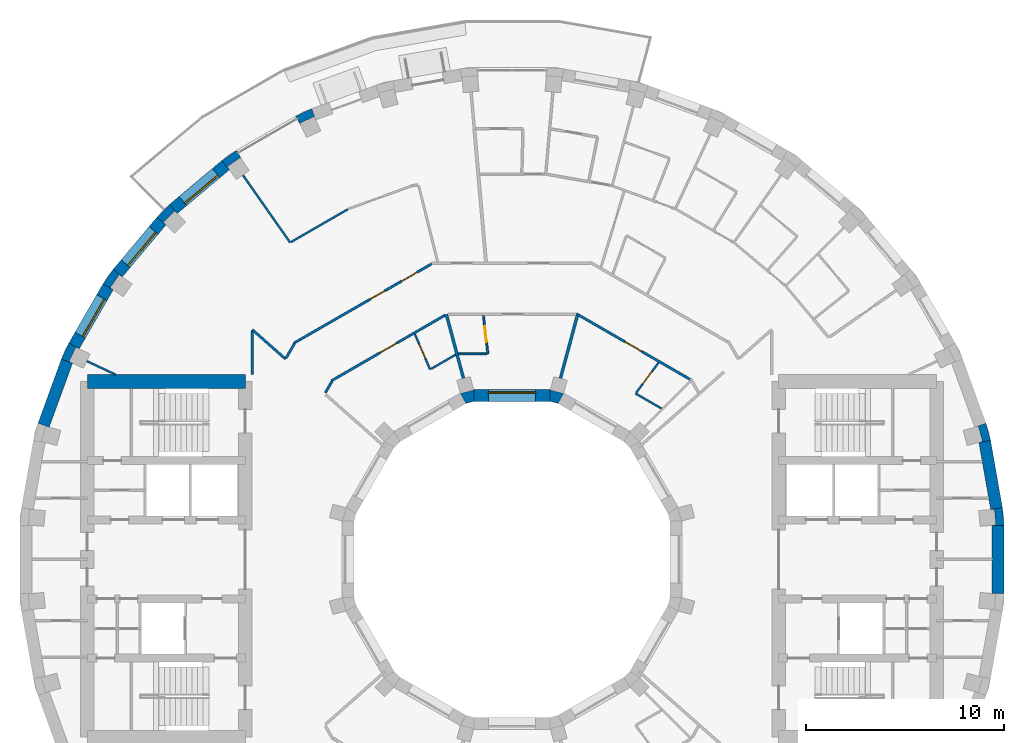
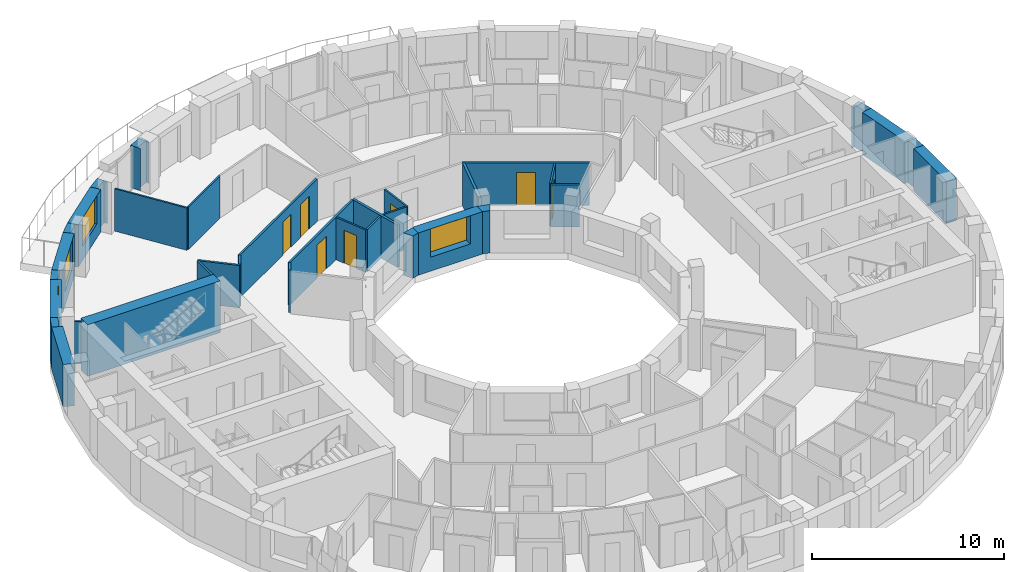
# One storey, part 10 of 14: 35 walls, 7 doors, 4 windows, 11 openings.
"""IFC4 building model written with IfcOpenShell, lengths in metres."""

from ifc_helpers import new_model, si_unit, direction, frame, frame_2d, origin, place, context, subcontext, project, spatial, polyline, rectangle, outline, extrude, material, layer, layer_set, type_object, element, fill, save


model = new_model("IFC4")

# Units and contexts
model_context = context("Model", 3, precision=1e-05, world=origin(), true_north=direction((0.0, 1.0)))
body_context = subcontext(model_context, "Body", "Model", "MODEL_VIEW")
ifc_project = project(units=[si_unit("LENGTHUNIT", "METRE"), si_unit("AREAUNIT", "SQUARE_METRE"), si_unit("VOLUMEUNIT", "CUBIC_METRE"), si_unit("PLANEANGLEUNIT", "RADIAN"), si_unit("MASSUNIT", "GRAM", prefix="KILO")], contexts=[model_context])

# Site, building, storey
site_placement = place(None, origin())
site = spatial("IfcSite", under=ifc_project, at=site_placement, CompositionType="ELEMENT")
building_placement = place(site_placement, origin())
building = spatial("IfcBuilding", under=site, at=building_placement, Name="Saqina Gate Tower", CompositionType="ELEMENT")
storey_placement = place(building_placement, frame((0.0, 0.0, 216.89990234375)))
storey = spatial("IfcBuildingStorey", under=building, at=storey_placement, Name="L62", CompositionType="ELEMENT", Elevation=216.89990234375)

# Walls
ifc_material_1 = material(Name="Brick masonry (buff)", Category="masonry")
wall_type_1 = type_object("IfcWallType", Name="BRICK PIER COPING BUFF", PredefinedType="SOLIDWALL", material=ifc_material_1)
wall_1_placement = place(storey_placement, origin())
element("IfcWall", 1, at=wall_1_placement, inside=storey, type_object=wall_type_1, Name="Pier cap L62 column 1", PredefinedType="SOLIDWALL", context=body_context, shape_type="SweptSolid", body=[
    extrude(outline(polyline([(24.90478515625, 1.724853515625), (24.825927734375, 2.6259765625), (24.235107421875, 2.521728515625), (24.421630859375, 2.5380859375), (24.491455078125, 1.7412109375), (24.304931640625, 1.724853515625), (24.90478515625, 1.724853515625)])), origin(), (0.0, 0.0, 1.0), 2.7001953125),
])
wall_2_placement = place(storey_placement, origin())
element("IfcWall", 2, at=wall_2_placement, inside=storey, type_object=wall_type_1, Name="Pier cap L62 column 2", PredefinedType="SOLIDWALL", context=body_context, shape_type="SweptSolid", body=[
    extrude(outline(polyline([(24.22705078125, 6.0234375), (23.992919921875, 6.897216796875), (23.428955078125, 6.69189453125), (23.610107421875, 6.740478515625), (23.81689453125, 5.967529296875), (23.635986328125, 5.919189453125), (24.22705078125, 6.0234375)])), origin(), (0.0, 0.0, 1.0), 2.7001953125),
])
wall_3_placement = place(storey_placement, origin())
element("IfcWall", 3, at=wall_3_placement, inside=storey, type_object=wall_type_1, Name="Pier cap L62 column 12", PredefinedType="SOLIDWALL", context=body_context, shape_type="SweptSolid", body=[
    extrude(outline(polyline([(-10.958740234375, 22.4306640625), (-10.65869140625, 21.9111328125), (-10.73779296875, 22.080810546875), (-10.0126953125, 22.4189453125), (-9.93359375, 22.249267578125), (-10.138916015625, 22.81298828125), (-10.958740234375, 22.4306640625)])), origin(), (0.0, 0.0, 1.0), 2.7001953125),
])
wall_4_placement = place(storey_placement, origin())
element("IfcWall", 4, at=wall_4_placement, inside=storey, type_object=wall_type_1, Name="Pier cap L62 column 13", PredefinedType="SOLIDWALL", context=body_context, shape_type="SweptSolid", body=[
    extrude(outline(polyline([(-13.9462890625, 20.705810546875), (-14.687255859375, 20.18701171875), (-14.301513671875, 19.727294921875), (-14.408935546875, 19.880859375), (-13.753662109375, 20.339599609375), (-13.646240234375, 20.186279296875), (-13.9462890625, 20.705810546875)])), origin(), (0.0, 0.0, 1.0), 2.7001953125),
])
wall_5_placement = place(storey_placement, origin())
element("IfcWall", 5, at=wall_5_placement, inside=storey, type_object=wall_type_1, Name="Pier cap L62 column 14", PredefinedType="SOLIDWALL", context=body_context, shape_type="SweptSolid", body=[
    extrude(outline(polyline([(-17.969482421875, 17.329833984375), (-17.510009765625, 16.944091796875), (-17.642333984375, 17.07666015625), (-17.07666015625, 17.642333984375), (-16.944091796875, 17.510009765625), (-17.329833984375, 17.969482421875), (-17.969482421875, 17.329833984375)])), origin(), (0.0, 0.0, 1.0), 2.7001953125),
])
wall_6_placement = place(storey_placement, origin())
element("IfcWall", 6, at=wall_6_placement, inside=storey, type_object=wall_type_1, Name="Pier cap L62 column 15", PredefinedType="SOLIDWALL", context=body_context, shape_type="SweptSolid", body=[
    extrude(outline(polyline([(-20.18701171875, 14.687255859375), (-20.705810546875, 13.9462890625), (-20.186279296875, 13.646240234375), (-20.339599609375, 13.753662109375), (-19.880859375, 14.408935546875), (-19.727294921875, 14.301513671875), (-20.18701171875, 14.687255859375)])), origin(), (0.0, 0.0, 1.0), 2.7001953125),
])
wall_7_placement = place(storey_placement, origin())
element("IfcWall", 7, at=wall_7_placement, inside=storey, type_object=wall_type_1, Name="Pier cap L62 column 16", PredefinedType="SOLIDWALL", context=body_context, shape_type="SweptSolid", body=[
    extrude(outline(polyline([(-22.81298828125, 10.138916015625), (-22.249267578125, 9.93359375), (-22.4189453125, 10.0126953125), (-22.080810546875, 10.73779296875), (-21.9111328125, 10.65869140625), (-22.4306640625, 10.958740234375), (-22.81298828125, 10.138916015625)])), origin(), (0.0, 0.0, 1.0), 2.7001953125),
])

# Wall, opening, window
ifc_material_2 = material(Name="Brick masonry (buff)", Category="masonry")
ifc_layer_1 = layer(ifc_material_2, 0.60009765625)
ifc_layer_set_1 = layer_set([ifc_layer_1], Name="FW-BRICK-BUFF")
wall_type_2 = type_object("IfcWallType", Name="FW-BRICK-BUFF", PredefinedType="SOLIDWALL", material=ifc_layer_set_1)
wall_8_placement = place(storey_placement, frame((-14.494384765625, 19.95703125, 0.0), z_axis=(0.0, 0.0, 1.0), x_axis=(-0.766058884809, -0.642770398358, 0.0)))
wall_8 = element("IfcWall", 8, at=wall_8_placement, inside=storey, type_object=wall_type_2, Name="Facade wall L62 facet 13", PredefinedType="SOLIDWALL", context=body_context, shape_type="SweptSolid", body=[
    extrude(rectangle(XDim=3.449462890625, YDim=0.60009765625, at=frame_2d((1.724609375, 0.0))), origin(), (0.0, 0.0, 1.0), 2.7001953125),
])
opening_1_placement = place(wall_8_placement, frame((0.625, 0.0, 0.89990234375)))
opening_1 = element("IfcOpeningElement", 9, at=opening_1_placement, cuts=wall_8, Name="Opening G18-W07", PredefinedType="OPENING", context=body_context, shape_type="SweptSolid", body=[
    extrude(rectangle(XDim=2.199951171875, YDim=1.800048828125, at=frame_2d((1.10009765625, 0.89990234375))), frame((0.0, 0.31201171875, 0.0), z_axis=(0.0, -1.0, 0.0), x_axis=(1.0, 0.0, 0.0)), (0.0, 0.0, 1.0), 0.6240234375),
])
ifc_material_3 = material(Name="Aluminium glazing", Category="aluminium")
window_type_1 = type_object("IfcWindowType", Name="WN-C", PartitioningType="SINGLE_PANEL", PredefinedType="WINDOW", material=ifc_material_3)
window_1_placement = place(opening_1_placement, origin())
window_1 = element("IfcWindow", 10, at=window_1_placement, inside=storey, type_object=window_type_1, Name="Window L62 facet 13", OverallHeight=1.800048828125, OverallWidth=2.199951171875, PartitioningType="SINGLE_PANEL", PredefinedType="WINDOW", context=body_context, shape_type="SweptSolid", body=[
    extrude(rectangle(XDim=2.199951171875, YDim=1.800048828125, at=frame_2d((1.10009765625, 0.89990234375))), frame((0.0, 0.179931640625, 0.0), z_axis=(0.0, -1.0, 0.0), x_axis=(1.0, 0.0, 0.0)), (0.0, 0.0, 1.0), 0.06005859375),
])
fill(opening_1, window_1)

wall_9_placement = place(storey_placement, frame((-17.73974609375, 17.136962890625, 0.0), z_axis=(0.0, 0.0, 1.0), x_axis=(-0.642770398358, -0.766058884809, 0.0)))
wall_9 = element("IfcWall", 11, at=wall_9_placement, inside=storey, type_object=wall_type_2, Name="Facade wall L62 facet 14", PredefinedType="SOLIDWALL", context=body_context, shape_type="SweptSolid", body=[
    extrude(rectangle(XDim=3.449462890625, YDim=0.60009765625, at=frame_2d((1.724609375, 0.0))), origin(), (0.0, 0.0, 1.0), 2.7001953125),
])
opening_2_placement = place(wall_9_placement, frame((0.625, 0.0, 0.89990234375)))
opening_2 = element("IfcOpeningElement", 12, at=opening_2_placement, cuts=wall_9, Name="Opening G18-W08", PredefinedType="OPENING", context=body_context, shape_type="SweptSolid", body=[
    extrude(rectangle(XDim=2.199951171875, YDim=1.800048828125, at=frame_2d((1.10009765625, 0.89990234375))), frame((0.0, 0.31201171875, 0.0), z_axis=(0.0, -1.0, 0.0), x_axis=(1.0, 0.0, 0.0)), (0.0, 0.0, 1.0), 0.6240234375),
])
window_2_placement = place(opening_2_placement, origin())
window_2 = element("IfcWindow", 13, at=window_2_placement, inside=storey, type_object=window_type_1, Name="Window L62 facet 14", OverallHeight=1.800048828125, OverallWidth=2.199951171875, PartitioningType="SINGLE_PANEL", PredefinedType="WINDOW", context=body_context, shape_type="SweptSolid", body=[
    extrude(rectangle(XDim=2.199951171875, YDim=1.800048828125, at=frame_2d((1.10009765625, 0.89990234375))), frame((0.0, 0.179931640625, 0.0), z_axis=(0.0, -1.0, 0.0), x_axis=(1.0, 0.0, 0.0)), (0.0, 0.0, 1.0), 0.06005859375),
])
fill(opening_2, window_2)

wall_10_placement = place(storey_placement, frame((-20.446044921875, 13.796142578125, 0.0), z_axis=(0.0, 0.0, 1.0), x_axis=(-0.499998129301, -0.86602648383, 0.0)))
wall_10 = element("IfcWall", 14, at=wall_10_placement, inside=storey, type_object=wall_type_2, Name="Facade wall L62 facet 15", PredefinedType="SOLIDWALL", context=body_context, shape_type="SweptSolid", body=[
    extrude(rectangle(XDim=3.44970703125, YDim=0.60009765625, at=frame_2d((1.724853515625, 0.0))), origin(), (0.0, 0.0, 1.0), 2.7001953125),
])
opening_3_placement = place(wall_10_placement, frame((0.625, 0.0, 0.89990234375)))
opening_3 = element("IfcOpeningElement", 15, at=opening_3_placement, cuts=wall_10, Name="Opening G18-W09", PredefinedType="OPENING", context=body_context, shape_type="SweptSolid", body=[
    extrude(rectangle(XDim=2.199951171875, YDim=1.800048828125, at=frame_2d((1.10009765625, 0.89990234375))), frame((0.0, 0.31201171875, 0.0), z_axis=(0.0, -1.0, 0.0), x_axis=(1.0, 0.0, 0.0)), (0.0, 0.0, 1.0), 0.6240234375),
])
window_3_placement = place(opening_3_placement, origin())
window_3 = element("IfcWindow", 16, at=window_3_placement, inside=storey, type_object=window_type_1, Name="Window L62 facet 15", OverallHeight=1.800048828125, OverallWidth=2.199951171875, PartitioningType="SINGLE_PANEL", PredefinedType="WINDOW", context=body_context, shape_type="SweptSolid", body=[
    extrude(rectangle(XDim=2.199951171875, YDim=1.800048828125, at=frame_2d((1.10009765625, 0.89990234375))), frame((0.0, 0.179931640625, 0.0), z_axis=(0.0, -1.0, 0.0), x_axis=(1.0, 0.0, 0.0)), (0.0, 0.0, 1.0), 0.06005859375),
])
fill(opening_3, window_3)

# Walls
ifc_material_4 = material(Name="Glazed ceramic tile", Category="ceramic")
ifc_layer_2 = layer(ifc_material_4, 0.60009765625)
ifc_layer_set_2 = layer_set([ifc_layer_2], Name="FW-TILE")
wall_type_3 = type_object("IfcWallType", Name="FW-TILE", PredefinedType="SOLIDWALL", material=ifc_layer_set_2)
wall_11_placement = place(storey_placement, frame((24.530517578125, 2.573974609375, 0.0), z_axis=(0.0, 0.0, 1.0), x_axis=(-0.173607684551, 0.984814892183, 0.0)))
element("IfcWall", 17, at=wall_11_placement, inside=storey, type_object=wall_type_3, Name="Facade wall L62 facet 1", PredefinedType="SOLIDWALL", context=body_context, shape_type="SweptSolid", body=[
    extrude(rectangle(XDim=3.44970703125, YDim=0.60009765625, at=frame_2d((1.724853515625, 0.0))), origin(), (0.0, 0.0, 1.0), 2.7001953125),
])
ifc_material_5 = material(Name="Glazed ceramic tile (dark blue)", Category="ceramic")
ifc_layer_3 = layer(ifc_material_5, 0.60009765625)
ifc_layer_set_3 = layer_set([ifc_layer_3], Name="FW-TILE-CB")
wall_type_4 = type_object("IfcWallType", Name="FW-TILE-CB", PredefinedType="SOLIDWALL", material=ifc_layer_set_3)
for number, where, z_axis, x_axis, name in (
    (18, (-22.531005859375, 10.0361328125, 0.0), (0.0, 0.0, 1.0), (-0.342032843455, -0.93968799822, 0.0), "Facade wall L62 facet 16"),
    (19, (24.60498046875, -1.724853515625, 0.0), (0.0, 0.0, 1.0), (0.0, 1.0, 0.0), "Facade wall L62 facet 36"),
):
    element("IfcWall", number, at=place(storey_placement, frame(where, z_axis=z_axis, x_axis=x_axis)), inside=storey, type_object=wall_type_4, Name=name, PredefinedType="SOLIDWALL", context=body_context, shape_type="SweptSolid", body=[
        extrude(rectangle(XDim=3.44970703125, YDim=0.60009765625, at=frame_2d((1.724853515625, 0.0))), origin(), (0.0, 0.0, 1.0), 2.7001953125),
    ])

# Wall, opening, window
ifc_material_6 = material(Name="Glazed ceramic tile", Category="ceramic")
ifc_layer_4 = layer(ifc_material_6, 0.60009765625)
ifc_layer_set_4 = layer_set([ifc_layer_4], Name="IW-TILE")
wall_type_5 = type_object("IfcWallType", Name="IW-TILE", PredefinedType="SOLIDWALL", material=ifc_layer_set_4)
wall_12_placement = place(storey_placement, frame((1.934814453125, 8.300048828125, 0.0), z_axis=(0.0, 0.0, 1.0), x_axis=(-1.0, 0.0, 0.0)))
wall_12 = element("IfcWall", 20, at=wall_12_placement, inside=storey, type_object=wall_type_5, Name="Well wall L62 facet 3", PredefinedType="SOLIDWALL", context=body_context, shape_type="SweptSolid", body=[
    extrude(rectangle(XDim=3.86962890625, YDim=0.60009765625, at=frame_2d((1.934814453125, 0.0))), origin(), (0.0, 0.0, 1.0), 2.7001953125),
])
opening_4_placement = place(wall_12_placement, frame((0.73486328125, 0.0, 0.89990234375)))
opening_4 = element("IfcOpeningElement", 21, at=opening_4_placement, cuts=wall_12, Name="Opening G18-W25", PredefinedType="OPENING", context=body_context, shape_type="SweptSolid", body=[
    extrude(rectangle(XDim=2.39990234375, YDim=1.800048828125, at=frame_2d((1.199951171875, 0.89990234375))), frame((0.0, 0.31201171875, 0.0), z_axis=(0.0, -1.0, 0.0), x_axis=(1.0, 0.0, 0.0)), (0.0, 0.0, 1.0), 0.6240234375),
])
ifc_material_7 = material(Name="Aluminium glazing", Category="aluminium")
window_type_2 = type_object("IfcWindowType", Name="WN-W", PartitioningType="SINGLE_PANEL", PredefinedType="WINDOW", material=ifc_material_7)
window_4_placement = place(opening_4_placement, origin())
window_4 = element("IfcWindow", 22, at=window_4_placement, inside=storey, type_object=window_type_2, Name="Well window L62 facet 3", OverallHeight=1.800048828125, OverallWidth=2.39990234375, PartitioningType="SINGLE_PANEL", PredefinedType="WINDOW", context=body_context, shape_type="SweptSolid", body=[
    extrude(rectangle(XDim=2.39990234375, YDim=1.800048828125, at=frame_2d((1.199951171875, 0.89990234375))), frame((0.0, -0.119873046875, 0.0), z_axis=(0.0, -1.0, 0.0), x_axis=(1.0, 0.0, 0.0)), (0.0, 0.0, 1.0), 0.06005859375),
])
fill(opening_4, window_4)

# Wall, opening, door
ifc_material_8 = material(Name="Gypsum board on steel studs, 100 mm", Category="steel")
ifc_layer_5 = layer(ifc_material_8, 0.10009765625)
ifc_layer_set_5 = layer_set([ifc_layer_5], Name="PARTITION 100")
wall_type_6 = type_object("IfcWallType", Name="PARTITION 100", PredefinedType="PARTITIONING", material=ifc_layer_set_5)
wall_13_placement = place(storey_placement, frame((-1.44580078125, 12.337890625, 0.0), z_axis=(0.0, 0.0, 1.0), x_axis=(0.116238674347, -0.993221309974, 0.0)))
wall_13 = element("IfcWall", 23, at=wall_13_placement, inside=storey, type_object=wall_type_6, Name="PARTITION PW3-02", PredefinedType="PARTITIONING", context=body_context, shape_type="SweptSolid", body=[
    extrude(rectangle(XDim=1.951171875, YDim=0.10009765625, at=frame_2d((0.9755859375, 0.0))), origin(), (0.0, 0.0, 1.0), 2.7001953125),
])
opening_5_placement = place(wall_13_placement, frame((0.544189453125, 0.0, 0.0)))
opening_5 = element("IfcOpeningElement", 24, at=opening_5_placement, cuts=wall_13, Name="Opening G18-D19", PredefinedType="OPENING", context=body_context, shape_type="SweptSolid", body=[
    extrude(rectangle(XDim=0.800048828125, YDim=2.10009765625, at=frame_2d((0.39990234375, 1.050048828125))), frame((0.0, 0.06201171875, 0.0), z_axis=(0.0, -1.0, 0.0), x_axis=(1.0, 0.0, 0.0)), (0.0, 0.0, 1.0), 0.1240234375),
])
ifc_material_9 = material(Name="Timber door leaf, 800 mm", Category="wood")
door_type_1 = type_object("IfcDoorType", Name="DOOR 800 TIMBER", OperationType="SINGLE_SWING_LEFT", PredefinedType="DOOR", material=ifc_material_9)
door_1_placement = place(opening_5_placement, origin())
door_1 = element("IfcDoor", 25, at=door_1_placement, inside=storey, type_object=door_type_1, Name="DOOR G18-D19", OperationType="SINGLE_SWING_LEFT", OverallHeight=2.10009765625, OverallWidth=0.800048828125, PredefinedType="DOOR", context=body_context, shape_type="SweptSolid", body=[
    extrude(rectangle(XDim=0.800048828125, YDim=2.10009765625, at=frame_2d((0.39990234375, 1.050048828125))), frame((0.0, 0.02490234375, 0.0), z_axis=(0.0, -1.0, 0.0), x_axis=(1.0, 0.0, 0.0)), (0.0, 0.0, 1.0), 0.050048828125),
])
fill(opening_5, door_1)

wall_14_placement = place(storey_placement, frame((-4.917236328125, 11.40771484375, 0.0), z_axis=(0.0, 0.0, 1.0), x_axis=(0.395791139597, -0.918340554379, 0.0)))
wall_14 = element("IfcWall", 26, at=wall_14_placement, inside=storey, type_object=wall_type_6, Name="PARTITION PW3-07", PredefinedType="PARTITIONING", context=body_context, shape_type="SweptSolid", body=[
    extrude(rectangle(XDim=1.951171875, YDim=0.10009765625, at=frame_2d((0.9755859375, 0.0))), origin(), (0.0, 0.0, 1.0), 2.7001953125),
])
opening_6_placement = place(wall_14_placement, frame((0.544189453125, 0.0, 0.0)))
opening_6 = element("IfcOpeningElement", 27, at=opening_6_placement, cuts=wall_14, Name="Opening G18-D23", PredefinedType="OPENING", context=body_context, shape_type="SweptSolid", body=[
    extrude(rectangle(XDim=0.800048828125, YDim=2.10009765625, at=frame_2d((0.39990234375, 1.050048828125))), frame((0.0, 0.06201171875, 0.0), z_axis=(0.0, -1.0, 0.0), x_axis=(1.0, 0.0, 0.0)), (0.0, 0.0, 1.0), 0.1240234375),
])
door_2_placement = place(opening_6_placement, frame((0.800048828125, 0.0, 0.0), z_axis=(0.0, 0.0, 1.0), x_axis=(-1.0, 0.0, 0.0)))
door_2 = element("IfcDoor", 28, at=door_2_placement, inside=storey, type_object=door_type_1, Name="DOOR G18-D23", OperationType="SINGLE_SWING_RIGHT", OverallHeight=2.10009765625, OverallWidth=0.800048828125, PredefinedType="DOOR", context=body_context, shape_type="SweptSolid", body=[
    extrude(rectangle(XDim=0.800048828125, YDim=2.10009765625, at=frame_2d((0.39990234375, 1.050048828125))), frame((0.0, 0.02490234375, 0.0), z_axis=(0.0, -1.0, 0.0), x_axis=(1.0, 0.0, 0.0)), (0.0, 0.0, 1.0), 0.050048828125),
])
fill(opening_6, door_2)

# Walls
wall_15_placement = place(storey_placement, frame((-13.616943359375, 19.446533203125, 0.0), z_axis=(0.0, 0.0, 1.0), x_axis=(0.573521439143, -0.819190550997, 0.0)))
element("IfcWall", 29, at=wall_15_placement, inside=storey, type_object=wall_type_6, Name="PARTITION PW3-11", PredefinedType="PARTITIONING", context=body_context, shape_type="SweptSolid", body=[
    extrude(rectangle(XDim=4.158935546875, YDim=0.10009765625, at=frame_2d((2.07958984375, 0.0))), origin(), (0.0, 0.0, 1.0), 2.7001953125),
])
wall_16_placement = place(storey_placement, frame((6.2548828125, 8.39697265625, 0.0), z_axis=(0.0, 0.0, 1.0), x_axis=(0.866027576455, -0.499996236806, 0.0)))
element("IfcWall", 30, at=wall_16_placement, inside=storey, type_object=wall_type_6, Name="PARTITION PW3-29", PredefinedType="PARTITIONING", context=body_context, shape_type="SweptSolid", body=[
    extrude(rectangle(XDim=1.51806640625, YDim=0.10009765625, at=frame_2d((0.759033203125, 0.0))), origin(), (0.0, 0.0, 1.0), 2.7001953125),
])
wall_17_placement = place(storey_placement, frame((-21.515380859375, 10.033935546875, 0.0), z_axis=(0.0, 0.0, 1.0), x_axis=(0.905418888078, -0.424519301223, 0.0)))
element("IfcWall", 31, at=wall_17_placement, inside=storey, type_object=wall_type_6, Name="PARTITION PW3-33", PredefinedType="PARTITIONING", context=body_context, shape_type="SweptSolid", body=[
    extrude(rectangle(XDim=1.61083984375, YDim=0.10009765625, at=frame_2d((0.805419921875, 0.0))), origin(), (0.0, 0.0, 1.0), 2.7001953125),
])
wall_18_placement = place(storey_placement, frame((-2.7119140625, 10.39990234375, 0.0), z_axis=(0.0, 0.0, 1.0), x_axis=(1.0, 0.0, 0.0)))
element("IfcWall", 32, at=wall_18_placement, inside=storey, type_object=wall_type_6, Name="PARTITION PW3-45", PredefinedType="PARTITIONING", context=body_context, shape_type="SweptSolid", body=[
    extrude(rectangle(XDim=1.44287109375, YDim=0.10009765625, at=frame_2d((0.721435546875, 0.0))), origin(), (0.0, 0.0, 1.0), 2.7001953125),
])
wall_19_placement = place(storey_placement, frame((-4.101806640625, 9.64111328125, 0.0), z_axis=(0.0, 0.0, 1.0), x_axis=(0.866058810152, 0.49994213401, 0.0)))
element("IfcWall", 33, at=wall_19_placement, inside=storey, type_object=wall_type_6, Name="PARTITION PW3-59", PredefinedType="PARTITIONING", context=body_context, shape_type="SweptSolid", body=[
    extrude(rectangle(XDim=1.443115234375, YDim=0.10009765625, at=frame_2d((0.7216796875, 0.0))), origin(), (0.0, 0.0, 1.0), 2.7001953125),
])
wall_20_placement = place(storey_placement, frame((-11.185791015625, 16.065185546875, 0.0), z_axis=(0.0, 0.0, 1.0), x_axis=(0.866233493035, 0.499639405515, 0.0)))
element("IfcWall", 34, at=wall_20_placement, inside=storey, type_object=wall_type_6, Name="PARTITION PW3-60", PredefinedType="PARTITIONING", context=body_context, shape_type="SweptSolid", body=[
    extrude(rectangle(XDim=3.30859375, YDim=0.10009765625, at=frame_2d((1.654296875, 0.0))), origin(), (0.0, 0.0, 1.0), 2.7001953125),
])

# Wall, opening, door
wall_21_placement = place(storey_placement, frame((6.284912109375, 8.43701171875, 0.0), z_axis=(0.0, 0.0, 1.0), x_axis=(0.597325895746, 0.801998612388, 0.0)))
wall_21 = element("IfcWall", 35, at=wall_21_placement, inside=storey, type_object=wall_type_6, Name="PARTITION PW3-70", PredefinedType="PARTITIONING", context=body_context, shape_type="SweptSolid", body=[
    extrude(rectangle(XDim=1.9013671875, YDim=0.10009765625, at=frame_2d((0.95068359375, 0.0))), origin(), (0.0, 0.0, 1.0), 2.7001953125),
])
opening_7_placement = place(wall_21_placement, frame((0.556884765625, 0.0, 0.0)))
opening_7 = element("IfcOpeningElement", 36, at=opening_7_placement, cuts=wall_21, Name="Opening G18-D05", PredefinedType="OPENING", context=body_context, shape_type="SweptSolid", body=[
    extrude(rectangle(XDim=0.800048828125, YDim=2.10009765625, at=frame_2d((0.39990234375, 1.050048828125))), frame((0.0, 0.06201171875, 0.0), z_axis=(0.0, -1.0, 0.0), x_axis=(1.0, 0.0, 0.0)), (0.0, 0.0, 1.0), 0.1240234375),
])
door_3_placement = place(opening_7_placement, origin())
door_3 = element("IfcDoor", 37, at=door_3_placement, inside=storey, type_object=door_type_1, Name="DOOR G18-D05", OperationType="SINGLE_SWING_RIGHT", OverallHeight=2.10009765625, OverallWidth=0.800048828125, PredefinedType="DOOR", context=body_context, shape_type="SweptSolid", body=[
    extrude(rectangle(XDim=0.800048828125, YDim=2.10009765625, at=frame_2d((0.39990234375, 1.050048828125))), frame((0.0, 0.02490234375, 0.0), z_axis=(0.0, -1.0, 0.0), x_axis=(1.0, 0.0, 0.0)), (0.0, 0.0, 1.0), 0.050048828125),
])
fill(opening_7, door_3)

# Wall
ifc_material_10 = material(Name="Gypsum board on steel studs, 125 mm, fire rated", Category="steel")
ifc_layer_6 = layer(ifc_material_10, 0.125)
ifc_layer_set_6 = layer_set([ifc_layer_6], Name="PARTITION EI 30 125")
wall_type_7 = type_object("IfcWallType", Name="PARTITION EI 30 125", PredefinedType="PARTITIONING", material=ifc_layer_set_6)
wall_22_placement = place(storey_placement, frame((-13.14697265625, 11.63134765625, 0.0), z_axis=(0.0, 0.0, 1.0), x_axis=(0.748942615969, -0.662634860225, 0.0)))
element("IfcWall", 38, at=wall_22_placement, inside=storey, type_object=wall_type_7, Name="PARTITION PW1-11", PredefinedType="PARTITIONING", context=body_context, shape_type="SweptSolid", body=[
    extrude(rectangle(XDim=2.24609375, YDim=0.125, at=frame_2d((1.123046875, 0.0))), origin(), (0.0, 0.0, 1.0), 2.7001953125),
])

# Wall, opening, door
wall_23_placement = place(storey_placement, frame((3.260498046875, 12.43603515625, 0.0), z_axis=(0.0, 0.0, 1.0), x_axis=(0.865965002636, -0.500104603268, 0.0)))
wall_23 = element("IfcWall", 39, at=wall_23_placement, inside=storey, type_object=wall_type_7, Name="PARTITION PW1-21", PredefinedType="PARTITIONING", context=body_context, shape_type="SweptSolid", body=[
    extrude(rectangle(XDim=6.654296875, YDim=0.125, at=frame_2d((3.3271484375, 0.0))), origin(), (0.0, 0.0, 1.0), 2.7001953125),
])
opening_8_placement = place(wall_23_placement, frame((2.843505859375, 0.0, 0.0)))
opening_8 = element("IfcOpeningElement", 40, at=opening_8_placement, cuts=wall_23, Name="Opening G18-D07", PredefinedType="OPENING", context=body_context, shape_type="SweptSolid", body=[
    extrude(rectangle(XDim=1.0, YDim=2.10009765625, at=frame_2d((0.5, 1.050048828125))), frame((0.0, 0.074462890625, 0.0), z_axis=(0.0, -1.0, 0.0), x_axis=(1.0, 0.0, 0.0)), (0.0, 0.0, 1.0), 0.14892578125),
])
ifc_material_11 = material(Name="Fire door leaf EI 30, 1000 mm")
door_type_2 = type_object("IfcDoorType", Name="DOOR 1000 EI 30", OperationType="SINGLE_SWING_LEFT", PredefinedType="DOOR", material=ifc_material_11)
door_4_placement = place(opening_8_placement, frame((1.0, 0.0, 0.0), z_axis=(0.0, 0.0, 1.0), x_axis=(-1.0, 0.0, 0.0)))
door_4 = element("IfcDoor", 41, at=door_4_placement, inside=storey, type_object=door_type_2, Name="DOOR G18-D07", OperationType="SINGLE_SWING_LEFT", OverallHeight=2.10009765625, OverallWidth=1.0, PredefinedType="DOOR", context=body_context, shape_type="SweptSolid", body=[
    extrude(rectangle(XDim=1.0, YDim=2.10009765625, at=frame_2d((0.5, 1.050048828125))), frame((0.0, 0.02490234375, 0.0), z_axis=(0.0, -1.0, 0.0), x_axis=(1.0, 0.0, 0.0)), (0.0, 0.0, 1.0), 0.050048828125),
])
fill(opening_8, door_4)

# Wall, openings, doors
wall_24_placement = place(storey_placement, frame((-11.044677734375, 10.945556640625, 0.0), z_axis=(0.0, 0.0, 1.0), x_axis=(0.866772253505, 0.498704181409, 0.0)))
wall_24 = element("IfcWall", 42, at=wall_24_placement, inside=storey, type_object=wall_type_7, Name="PARTITION PW1-34", PredefinedType="PARTITIONING", context=body_context, shape_type="SweptSolid", body=[
    extrude(rectangle(XDim=8.049072265625, YDim=0.125, at=frame_2d((4.0244140625, 0.0))), origin(), (0.0, 0.0, 1.0), 2.7001953125),
])
opening_9_placement = place(wall_24_placement, frame((6.30810546875, 0.0, 0.0)))
opening_9 = element("IfcOpeningElement", 43, at=opening_9_placement, cuts=wall_24, Name="Opening G18-D21", PredefinedType="OPENING", context=body_context, shape_type="SweptSolid", body=[
    extrude(rectangle(XDim=0.89990234375, YDim=2.10009765625, at=frame_2d((0.449951171875, 1.050048828125))), frame((0.0, 0.074462890625, 0.0), z_axis=(0.0, -1.0, 0.0), x_axis=(1.0, 0.0, 0.0)), (0.0, 0.0, 1.0), 0.14892578125),
])
opening_10_placement = place(wall_24_placement, frame((4.462646484375, 0.0, 0.0)))
opening_10 = element("IfcOpeningElement", 44, at=opening_10_placement, cuts=wall_24, Name="Opening G18-D24", PredefinedType="OPENING", context=body_context, shape_type="SweptSolid", body=[
    extrude(rectangle(XDim=0.85009765625, YDim=2.10009765625, at=frame_2d((0.425048828125, 1.050048828125))), frame((0.0, 0.074462890625, 0.0), z_axis=(0.0, -1.0, 0.0), x_axis=(1.0, 0.0, 0.0)), (0.0, 0.0, 1.0), 0.14892578125),
])
ifc_material_12 = material(Name="Fire door leaf EI 30, 850 mm")
door_type_3 = type_object("IfcDoorType", Name="DOOR 850 EI 30", OperationType="SINGLE_SWING_LEFT", PredefinedType="DOOR", material=ifc_material_12)
door_5_placement = place(opening_10_placement, frame((0.85009765625, 0.0, 0.0), z_axis=(0.0, 0.0, 1.0), x_axis=(-1.0, 0.0, 0.0)))
door_5 = element("IfcDoor", 45, at=door_5_placement, inside=storey, type_object=door_type_3, Name="DOOR G18-D24", OperationType="SINGLE_SWING_LEFT", OverallHeight=2.10009765625, OverallWidth=0.85009765625, PredefinedType="DOOR", context=body_context, shape_type="SweptSolid", body=[
    extrude(rectangle(XDim=0.85009765625, YDim=2.10009765625, at=frame_2d((0.425048828125, 1.050048828125))), frame((0.0, 0.02490234375, 0.0), z_axis=(0.0, -1.0, 0.0), x_axis=(1.0, 0.0, 0.0)), (0.0, 0.0, 1.0), 0.050048828125),
])
fill(opening_10, door_5)
ifc_material_13 = material(Name="Fire door leaf EI 30, 900 mm")
door_type_4 = type_object("IfcDoorType", Name="DOOR 900 EI 30", OperationType="SINGLE_SWING_LEFT", PredefinedType="DOOR", material=ifc_material_13)
door_6_placement = place(opening_9_placement, frame((0.89990234375, 0.0, 0.0), z_axis=(0.0, 0.0, 1.0), x_axis=(-1.0, 0.0, 0.0)))
door_6 = element("IfcDoor", 46, at=door_6_placement, inside=storey, type_object=door_type_4, Name="DOOR G18-D21", OperationType="SINGLE_SWING_LEFT", OverallHeight=2.10009765625, OverallWidth=0.89990234375, PredefinedType="DOOR", context=body_context, shape_type="SweptSolid", body=[
    extrude(rectangle(XDim=0.89990234375, YDim=2.10009765625, at=frame_2d((0.449951171875, 1.050048828125))), frame((0.0, 0.02490234375, 0.0), z_axis=(0.0, -1.0, 0.0), x_axis=(1.0, 0.0, 0.0)), (0.0, 0.0, 1.0), 0.050048828125),
])
fill(opening_9, door_6)

# Wall, opening, door
wall_25_placement = place(storey_placement, frame((-9.139404296875, 9.041015625, 0.0), z_axis=(0.0, 0.0, 1.0), x_axis=(0.865965193508, 0.50010427276, 0.0)))
wall_25 = element("IfcWall", 47, at=wall_25_placement, inside=storey, type_object=wall_type_7, Name="PARTITION PW1-38", PredefinedType="PARTITIONING", context=body_context, shape_type="SweptSolid", body=[
    extrude(rectangle(XDim=6.6416015625, YDim=0.125, at=frame_2d((3.32080078125, 0.0))), origin(), (0.0, 0.0, 1.0), 2.7001953125),
])
opening_11_placement = place(wall_25_placement, frame((2.843505859375, 0.0, 0.0)))
opening_11 = element("IfcOpeningElement", 48, at=opening_11_placement, cuts=wall_25, Name="Opening G18-D25", PredefinedType="OPENING", context=body_context, shape_type="SweptSolid", body=[
    extrude(rectangle(XDim=1.0, YDim=2.10009765625, at=frame_2d((0.5, 1.050048828125))), frame((0.0, 0.074462890625, 0.0), z_axis=(0.0, -1.0, 0.0), x_axis=(1.0, 0.0, 0.0)), (0.0, 0.0, 1.0), 0.14892578125),
])
door_7_placement = place(opening_11_placement, frame((1.0, 0.0, 0.0), z_axis=(0.0, 0.0, 1.0), x_axis=(-1.0, 0.0, 0.0)))
door_7 = element("IfcDoor", 49, at=door_7_placement, inside=storey, type_object=door_type_2, Name="DOOR G18-D25", OperationType="SINGLE_SWING_LEFT", OverallHeight=2.10009765625, OverallWidth=1.0, PredefinedType="DOOR", context=body_context, shape_type="SweptSolid", body=[
    extrude(rectangle(XDim=1.0, YDim=2.10009765625, at=frame_2d((0.5, 1.050048828125))), frame((0.0, 0.02490234375, 0.0), z_axis=(0.0, -1.0, 0.0), x_axis=(1.0, 0.0, 0.0)), (0.0, 0.0, 1.0), 0.050048828125),
])
fill(opening_11, door_7)

# Walls
wall_26_placement = place(storey_placement, frame((-9.44580078125, 8.439208984375, 0.0), z_axis=(0.0, 0.0, 1.0), x_axis=(0.500422377307, 0.865781406759, 0.0)))
element("IfcWall", 50, at=wall_26_placement, inside=storey, type_object=wall_type_7, Name="PARTITION PW1-48", PredefinedType="PARTITIONING", context=body_context, shape_type="SweptSolid", body=[
    extrude(rectangle(XDim=0.67431640625, YDim=0.125, at=frame_2d((0.337158203125, 0.0))), origin(), (0.0, 0.0, 1.0), 2.7001953125),
])
wall_27_placement = place(storey_placement, frame((-11.4326171875, 10.19921875, 0.0), z_axis=(0.0, 0.0, 1.0), x_axis=(0.500326004058, 0.865837103423, 0.0)))
element("IfcWall", 51, at=wall_27_placement, inside=storey, type_object=wall_type_7, Name="PARTITION PW1-49", PredefinedType="PARTITIONING", context=body_context, shape_type="SweptSolid", body=[
    extrude(rectangle(XDim=0.84033203125, YDim=0.125, at=frame_2d((0.420166015625, 0.0))), origin(), (0.0, 0.0, 1.0), 2.7001953125),
])
wall_28_placement = place(storey_placement, frame((-13.14990234375, 9.35107421875, 0.0), z_axis=(0.0, 0.0, 1.0), x_axis=(0.0, 1.0, 0.0)))
element("IfcWall", 52, at=wall_28_placement, inside=storey, type_object=wall_type_7, Name="PARTITION PW1-53", PredefinedType="PARTITIONING", context=body_context, shape_type="SweptSolid", body=[
    extrude(rectangle(XDim=2.21630859375, YDim=0.125, at=frame_2d((1.108154296875, 0.0))), origin(), (0.0, 0.0, 1.0), 2.7001953125),
])
ifc_material_14 = material(Name="Gypsum board on steel studs, 150 mm, fire rated", Category="steel")
ifc_layer_7 = layer(ifc_material_14, 0.14990234375)
ifc_layer_set_7 = layer_set([ifc_layer_7], Name="PARTITION EI 60 150")
wall_type_8 = type_object("IfcWallType", Name="PARTITION EI 60 150", PredefinedType="PARTITIONING", material=ifc_layer_set_7)
wall_29_placement = place(storey_placement, frame((-3.322998046875, 12.39990234375, 0.0), z_axis=(0.0, 0.0, 1.0), x_axis=(0.258866194904, -0.965913191304, 0.0)))
element("IfcWall", 53, at=wall_29_placement, inside=storey, type_object=wall_type_8, Name="PARTITION PW2-03", PredefinedType="PARTITIONING", context=body_context, shape_type="SweptSolid", body=[
    extrude(rectangle(XDim=3.34521484375, YDim=0.14990234375, at=frame_2d((1.672607421875, 0.0))), origin(), (0.0, 0.0, 1.0), 2.7001953125),
])
wall_30_placement = place(storey_placement, frame((2.4541015625, 9.16943359375, 0.0), z_axis=(0.0, 0.0, 1.0), x_axis=(0.259768108771, 0.965671025591, 0.0)))
element("IfcWall", 54, at=wall_30_placement, inside=storey, type_object=wall_type_8, Name="PARTITION PW2-04", PredefinedType="PARTITIONING", context=body_context, shape_type="SweptSolid", body=[
    extrude(rectangle(XDim=3.282958984375, YDim=0.14990234375, at=frame_2d((1.6416015625, 0.0))), origin(), (0.0, 0.0, 1.0), 2.7001953125),
])
ifc_material_15 = material(Name="Concrete C60/75", Category="concrete")
ifc_layer_8 = layer(ifc_material_15, 0.699951171875)
ifc_layer_set_8 = layer_set([ifc_layer_8], Name="Concrete C60/75")
wall_type_9 = type_object("IfcWallType", Name="STR-CORE WALL-C-O", PredefinedType="SHEAR", material=ifc_layer_set_8)
wall_31_placement = place(storey_placement, frame((-13.5, 9.0, 0.0), z_axis=(0.0, 0.0, 1.0), x_axis=(-1.0, 0.0, 0.0)))
element("IfcWall", 55, at=wall_31_placement, inside=storey, type_object=wall_type_9, Name="CORE WALL L62 W-NE", PredefinedType="SHEAR", context=body_context, shape_type="SweptSolid", body=[
    extrude(rectangle(XDim=8.0, YDim=0.699951171875, at=frame_2d((4.0, 0.0))), origin(), (0.0, 0.0, 1.0), 3.300048828125),
])
ifc_material_16 = material(Name="Glazed ceramic tile", Category="ceramic")
wall_type_10 = type_object("IfcWallType", Name="TILE PIER COPING", PredefinedType="SOLIDWALL", material=ifc_material_16)
wall_32_placement = place(storey_placement, origin())
element("IfcWall", 56, at=wall_32_placement, inside=storey, type_object=wall_type_10, Name="Well pier cap L62 column 3", PredefinedType="SOLIDWALL", context=body_context, shape_type="SweptSolid", body=[
    extrude(outline(polyline([(1.934814453125, 8.573486328125), (1.934814453125, 8.0), (2.32421875, 7.895751953125), (2.611083984375, 8.392333984375), (1.934814453125, 8.573486328125)])), origin(), (0.0, 0.0, 1.0), 2.7001953125),
])
wall_33_placement = place(storey_placement, origin())
element("IfcWall", 57, at=wall_33_placement, inside=storey, type_object=wall_type_10, Name="Well pier cap L62 column 4", PredefinedType="SOLIDWALL", context=body_context, shape_type="SweptSolid", body=[
    extrude(outline(polyline([(-1.934814453125, 8.0), (-1.934814453125, 8.573486328125), (-2.611083984375, 8.392333984375), (-2.32421875, 7.895751953125), (-1.934814453125, 8.0)])), origin(), (0.0, 0.0, 1.0), 2.7001953125),
])

save(model, "model.ifc")
